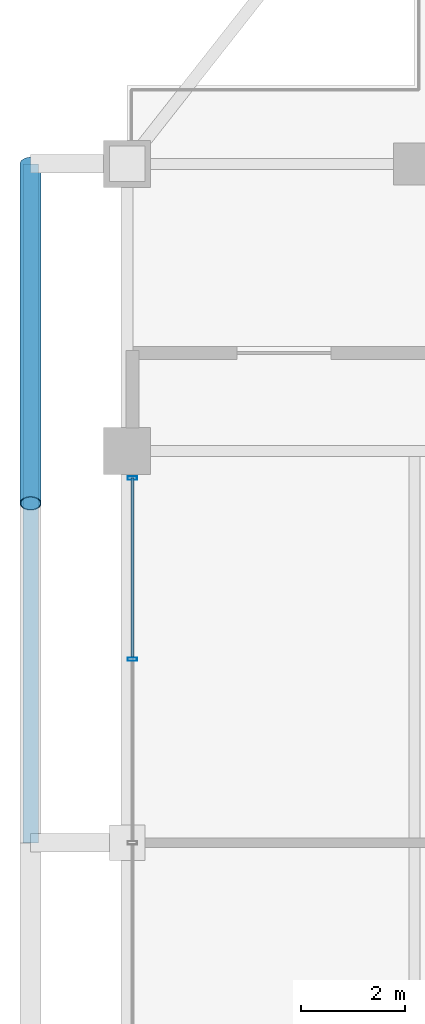
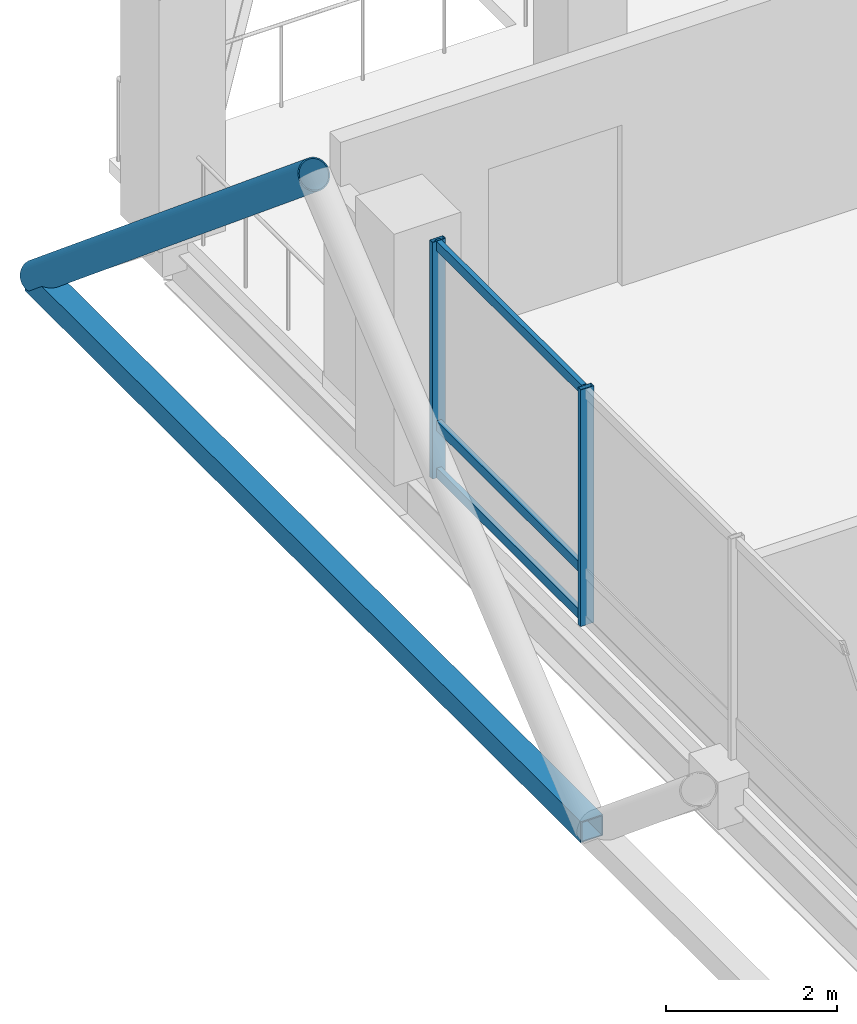
# One storey, part 10 of 21: 7 members, 1 element without a shape of its own.
"""IFC4 building model written with IfcOpenShell, lengths in metres."""

from ifc_helpers import new_model, si_unit, direction, frame, origin, origin_2d, place, context, subcontext, project, spatial, hollow_rectangle, hollow_circle, extrude, material, layer, layer_set, material_profile, profile_set, type_object, element, aggregate, save


model = new_model("IFC4")

# Units and contexts
model_context = context("Model", 3, precision=1e-05, world=origin(), true_north=direction((0.0, 1.0)))
body_context = subcontext(model_context, "Body", "Model", "MODEL_VIEW")
ifc_project = project(units=[si_unit("LENGTHUNIT", "METRE"), si_unit("AREAUNIT", "SQUARE_METRE"), si_unit("VOLUMEUNIT", "CUBIC_METRE"), si_unit("PLANEANGLEUNIT", "RADIAN"), si_unit("MASSUNIT", "GRAM", prefix="KILO")], contexts=[model_context])

# Site, building, storey
site_placement = place(None, origin())
site = spatial("IfcSite", under=ifc_project, at=site_placement, CompositionType="ELEMENT")
building_placement = place(site_placement, origin())
building = spatial("IfcBuilding", under=site, at=building_placement, Name="Barlavira Tower and Art Museum", CompositionType="ELEMENT")
storey_placement = place(building_placement, frame((0.0, 0.0, 261.89990234375)))
storey = spatial("IfcBuildingStorey", under=building, at=storey_placement, Name="L68", CompositionType="ELEMENT", Elevation=261.89990234375)

# Curtain wall, members
ifc_material_1 = material(Name="Low-iron coastal laminated glass", Category="glass")
ifc_layer = layer(ifc_material_1, 0.2099609375, Name="Low-iron coastal laminated glass")
ifc_layer_set = layer_set([ifc_layer], Name="Low-iron coastal laminated glass")
curtain_wall_type = type_object("IfcCurtainWallType", Name="Pale-Metal Unitised Curtain Wall Zone 4", PredefinedType="NOTDEFINED", material=ifc_layer_set)
curtain_wall_placement = place(storey_placement, origin())
curtain_wall = element("IfcCurtainWall", 1, at=curtain_wall_placement, inside=storey, type_object=curtain_wall_type, Name="L68 Curtain Wall CW4-L68-W-B2", PredefinedType="NOTDEFINED")
ifc_material_2 = material(Name="Pale anodised aluminium", Category="aluminium")
ifc_material_profile_1 = material_profile(ifc_material_2, hollow_rectangle(XDim=0.06494140625, YDim=0.179931640625, WallThickness=0.00390625, at=origin_2d()), Name="ALU-MULL 65x180x4")
ifc_profile_set_1 = profile_set([ifc_material_profile_1], Name="Pale anodised aluminium")
member_type_1 = type_object("IfcMemberType", Name="Curtain Wall Pale-Metal Mullion 65x180", PredefinedType="MULLION", material=ifc_profile_set_1)
member_1_placement = place(storey_placement, frame((-16.89990234375, 6.985107421875, 0.0), z_axis=(0.0, 0.0, 1.0), x_axis=(0.0, -1.0, 0.0)))
member_1 = element("IfcMember", 2, at=member_1_placement, type_object=member_type_1, Name="CW4-L68-W-B2 Mullion 0", PredefinedType="MULLION", context=body_context, shape_type="SweptSolid", body=[
    extrude(hollow_rectangle(XDim=0.06494140625, YDim=0.179931640625, WallThickness=0.00390625, at=origin_2d()), origin(), (0.0, 0.0, 1.0), 3.380126953125),
])
member_2_placement = place(storey_placement, frame((-16.89990234375, 3.514892578125, 0.0), z_axis=(0.0, 0.0, 1.0), x_axis=(0.0, -1.0, 0.0)))
member_2 = element("IfcMember", 3, at=member_2_placement, type_object=member_type_1, Name="CW4-L68-W-B2 Mullion 1", PredefinedType="MULLION", context=body_context, shape_type="SweptSolid", body=[
    extrude(hollow_rectangle(XDim=0.06494140625, YDim=0.179931640625, WallThickness=0.00390625, at=origin_2d()), origin(), (0.0, 0.0, 1.0), 3.380126953125),
])
ifc_material_profile_2 = material_profile(ifc_material_2, hollow_rectangle(XDim=0.06494140625, YDim=0.139892578125, WallThickness=0.00390625, at=origin_2d()), Name="ALU-TRAN 65x140x4")
ifc_profile_set_2 = profile_set([ifc_material_profile_2], Name="Pale anodised aluminium")
member_type_2 = type_object("IfcMemberType", Name="Curtain Wall Pale-Metal Transom 65x140", PredefinedType="USERDEFINED", material=ifc_profile_set_2)
member_3_placement = place(storey_placement, frame((-16.89990234375, 6.985107421875, 0.070068359375), z_axis=(0.0, -1.0, 0.0), x_axis=(1.0, 0.0, 0.0)))
member_3 = element("IfcMember", 4, at=member_3_placement, type_object=member_type_2, Name="CW4-L68-W-B2 Transom 0.1", ObjectType="TRANSOM", PredefinedType="USERDEFINED", context=body_context, shape_type="SweptSolid", body=[
    extrude(hollow_rectangle(XDim=0.06494140625, YDim=0.139892578125, WallThickness=0.00390625, at=origin_2d()), origin(), (0.0, 0.0, 1.0), 3.425048828125),
])
member_4_placement = place(storey_placement, frame((-16.89990234375, 6.985107421875, 0.744140625), z_axis=(0.0, -1.0, 0.0), x_axis=(1.0, 0.0, 0.0)))
member_4 = element("IfcMember", 5, at=member_4_placement, type_object=member_type_2, Name="CW4-L68-W-B2 Transom 0.2", ObjectType="TRANSOM", PredefinedType="USERDEFINED", context=body_context, shape_type="SweptSolid", body=[
    extrude(hollow_rectangle(XDim=0.06494140625, YDim=0.139892578125, WallThickness=0.00390625, at=origin_2d()), origin(), (0.0, 0.0, 1.0), 3.425048828125),
])
member_5_placement = place(storey_placement, frame((-16.89990234375, 6.985107421875, 3.31005859375), z_axis=(0.0, -1.0, 0.0), x_axis=(1.0, 0.0, 0.0)))
member_5 = element("IfcMember", 6, at=member_5_placement, type_object=member_type_2, Name="CW4-L68-W-B2 Transom 0.3", ObjectType="TRANSOM", PredefinedType="USERDEFINED", context=body_context, shape_type="SweptSolid", body=[
    extrude(hollow_rectangle(XDim=0.06494140625, YDim=0.139892578125, WallThickness=0.00390625, at=origin_2d()), origin(), (0.0, 0.0, 1.0), 3.425048828125),
])
aggregate(curtain_wall, [member_1, member_2, member_3, member_4, member_5])

# Members
ifc_material_3 = material(Name="Steel S355", Category="steel")
ifc_material_profile_3 = material_profile(ifc_material_3, hollow_circle(Radius=0.203125, WallThickness=0.01611328125, at=origin_2d()), Name="CHS 406.4x16.0")
ifc_profile_set_3 = profile_set([ifc_material_profile_3], Name="Steel S355")
member_type_3 = type_object("IfcMemberType", Name="Pale-Metal Exoskeleton Diagrid Tube CHS 406x16 Steel S355", PredefinedType="BRACE", material=ifc_profile_set_3)
member_6_placement = place(storey_placement, frame((-18.85009765625, 13.0, -0.119873046875), z_axis=(0.0, -0.769196053329, 0.639012857104), x_axis=(1.0, 0.0, 0.0)))
element("IfcMember", 7, at=member_6_placement, inside=storey, type_object=member_type_3, Name="L68 Exoskeleton Diagrid Tube W", PredefinedType="BRACE", context=body_context, shape_type="SweptSolid", body=[
    extrude(hollow_circle(Radius=0.203125, WallThickness=0.01611328125, at=origin_2d()), origin(), (0.0, 0.0, 1.0), 8.450439453125),
])
ifc_material_profile_4 = material_profile(ifc_material_3, hollow_rectangle(XDim=0.300048828125, YDim=0.300048828125, WallThickness=0.01611328125, at=origin_2d()), Name="SHS 300x300x16.0")
ifc_profile_set_4 = profile_set([ifc_material_profile_4], Name="Steel S355")
member_type_4 = type_object("IfcMemberType", Name="Pale-Metal Upper Ring Strut SHS 300x300x16 Steel S355", PredefinedType="STRUT", material=ifc_profile_set_4)
member_7_placement = place(storey_placement, frame((-18.85009765625, 0.0, -0.119873046875), z_axis=(0.0, 1.0, 0.0), x_axis=(-1.0, 0.0, 0.0)))
element("IfcMember", 8, at=member_7_placement, inside=storey, type_object=member_type_4, Name="L68 Exoskeleton Ring Strut W", PredefinedType="STRUT", context=body_context, shape_type="SweptSolid", body=[
    extrude(hollow_rectangle(XDim=0.300048828125, YDim=0.300048828125, WallThickness=0.01611328125, at=origin_2d()), origin(), (0.0, 0.0, 1.0), 13.0),
])

save(model, "model.ifc")
